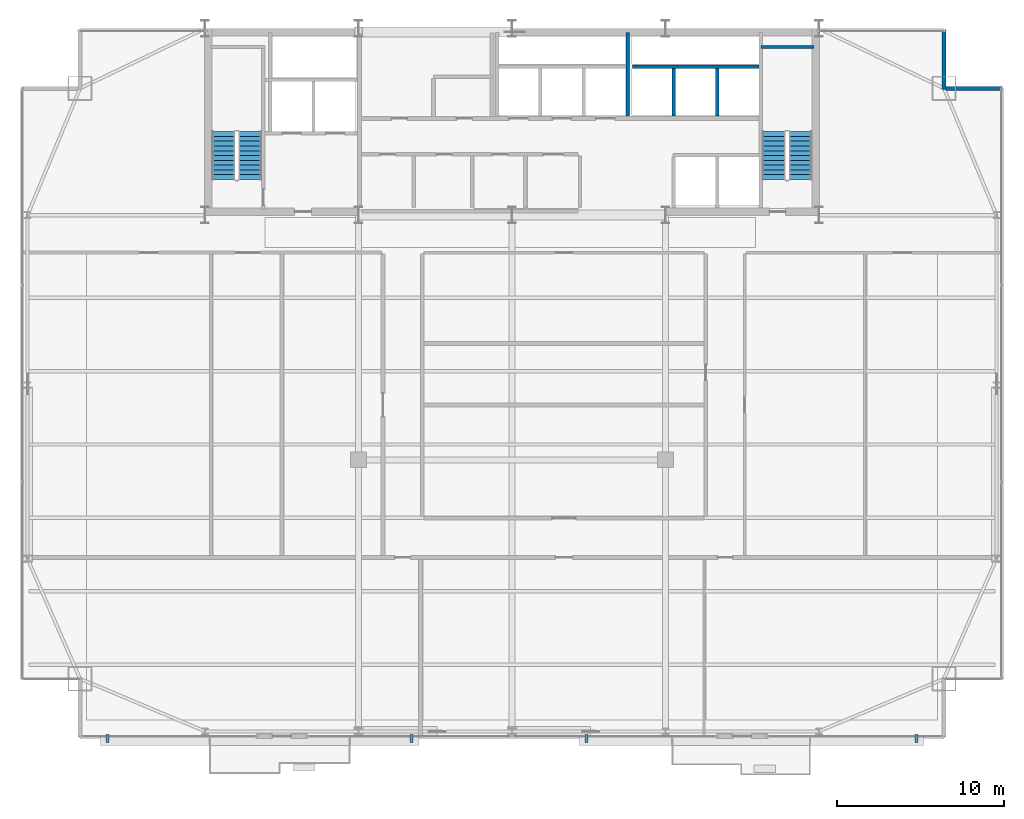
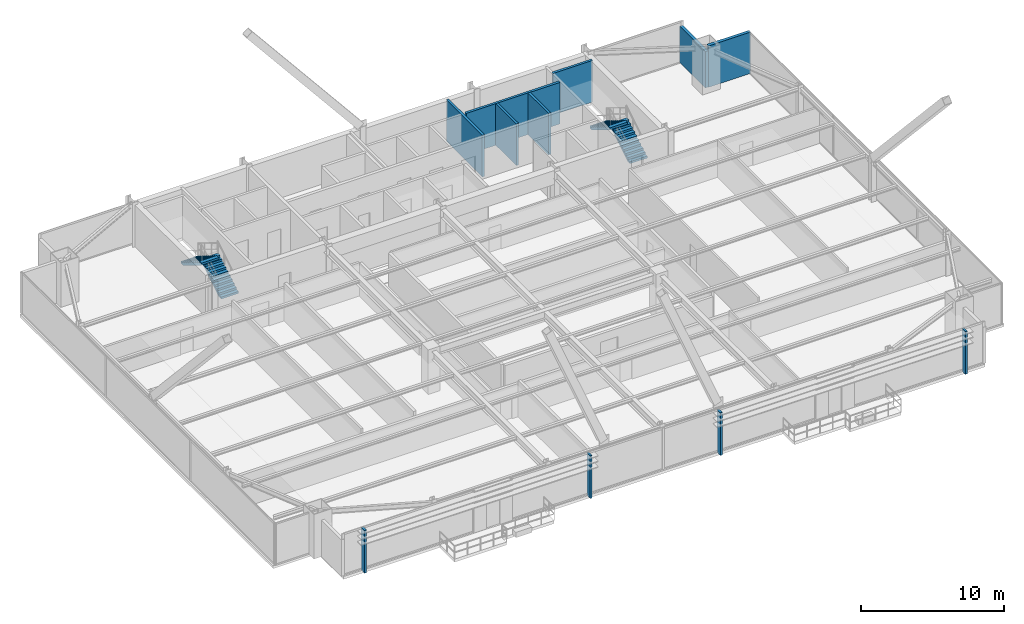
# One storey, part 35 of 37: 7 walls, 4 discrete accessories, 4 stair flights, 2 elements without a shape of their own.
"""IFC4 building model written with IfcOpenShell, lengths in metres."""

from ifc_helpers import new_model, si_unit, direction, frame, frame_2d, origin, origin_2d, place, context, subcontext, project, spatial, polyline, rectangle, outline, extrude, source, transform, mapped, material, layer, layer_set, type_object, type_shapes, element, aggregate, save


model = new_model("IFC4")

# Units and contexts
model_context = context("Model", 3, precision=1e-05, world=origin(), true_north=direction((0.0, 1.0)))
body_context = subcontext(model_context, "Body", "Model", "MODEL_VIEW")
ifc_project = project(units=[si_unit("LENGTHUNIT", "METRE"), si_unit("AREAUNIT", "SQUARE_METRE"), si_unit("VOLUMEUNIT", "CUBIC_METRE"), si_unit("PLANEANGLEUNIT", "RADIAN"), si_unit("MASSUNIT", "GRAM", prefix="KILO")], contexts=[model_context])

# Site, building, storey
site_placement = place(None, origin())
site = spatial("IfcSite", under=ifc_project, at=site_placement, CompositionType="ELEMENT")
building_placement = place(site_placement, origin())
building = spatial("IfcBuilding", under=site, at=building_placement, Name="Varnel Quay Broadcast Tower", CompositionType="ELEMENT")
storey_placement = place(building_placement, frame((0.0, 0.0, 125.800048828125)))
storey = spatial("IfcBuildingStorey", under=building, at=storey_placement, Name="L30", CompositionType="ELEMENT", Elevation=125.800048828125)

# Walls
ifc_material_1 = material(Name="Concrete CSA A23.3 C50/60", Category="concrete")
ifc_layer_1 = layer(ifc_material_1, 0.199951171875, Name="Concrete CSA A23.3 C50/60")
ifc_layer_set_1 = layer_set([ifc_layer_1], Name="Concrete CSA A23.3 C50/60")
wall_type_1 = type_object("IfcWallType", Name="Wall_CoreShaftShear200", PredefinedType="SHEAR", material=ifc_layer_set_1)
wall_1_placement = place(storey_placement, frame((48.919921875, 45.679931640625, 0.0), z_axis=(0.0, 0.0, 1.0), x_axis=(1.0, 0.0, 0.0)))
element("IfcWall", 1, at=wall_1_placement, inside=storey, type_object=wall_type_1, Name="L30 Stair 2 North Structural Wall", PredefinedType="SHEAR", context=body_context, shape_type="SweptSolid", body=[
    extrude(rectangle(XDim=3.18017578125, YDim=0.199951171875, at=frame_2d((1.590087890625, 0.0))), origin(), (0.0, 0.0, 1.0), 3.550048828125),
])
wall_2_placement = place(storey_placement, frame((40.949951171875, 41.530029296875, 0.0), z_axis=(0.0, 0.0, 1.0), x_axis=(0.0, 1.0, 0.0)))
element("IfcWall", 2, at=wall_2_placement, inside=storey, type_object=wall_type_1, Name="L30 Mid-Rise Lift Shaft Divider 4", PredefinedType="SHEAR", context=body_context, shape_type="SweptSolid", body=[
    extrude(rectangle(XDim=5.02001953125, YDim=0.199951171875, at=frame_2d((2.510009765625, 0.0))), origin(), (0.0, 0.0, 1.0), 3.550048828125),
])
wall_3_placement = place(storey_placement, frame((41.219970703125, 44.5, 0.0), z_axis=(0.0, 0.0, 1.0), x_axis=(1.0, 0.0, 0.0)))
element("IfcWall", 3, at=wall_3_placement, inside=storey, type_object=wall_type_1, Name="L30 High-Rise Lift Shaft Rear Wall", PredefinedType="SHEAR", context=body_context, shape_type="SweptSolid", body=[
    extrude(rectangle(XDim=7.580078125, YDim=0.199951171875, at=frame_2d((3.7900390625, 0.0))), origin(), (0.0, 0.0, 1.0), 3.550048828125),
])
for number, where, z_axis, x_axis, name in (
    (4, (43.699951171875, 41.530029296875, 0.0), (0.0, 0.0, 1.0), (0.0, 1.0, 0.0), "L30 High-Rise Lift Shaft Divider 2"),
    (5, (46.300048828125, 41.530029296875, 0.0), (0.0, 0.0, 1.0), (0.0, 1.0, 0.0), "L30 High-Rise Lift Shaft Divider 3"),
):
    element("IfcWall", number, at=place(storey_placement, frame(where, z_axis=z_axis, x_axis=x_axis)), inside=storey, type_object=wall_type_1, Name=name, PredefinedType="SHEAR", context=body_context, shape_type="SweptSolid", body=[
        extrude(rectangle(XDim=2.869873046875, YDim=0.199951171875, at=frame_2d((1.43505859375, 0.0))), origin(), (0.0, 0.0, 1.0), 3.550048828125),
    ])
ifc_material_2 = material(Name="Precast Architectural Concrete C40/50", Category="concrete")
ifc_layer_2 = layer(ifc_material_2, 0.25, Name="Precast Architectural Concrete C40/50")
ifc_layer_set_2 = layer_set([ifc_layer_2], Name="Precast Architectural Concrete C40/50")
wall_type_2 = type_object("IfcWallType", Name="Wall_ExtTerrace250", PredefinedType="SOLIDWALL", material=ifc_layer_set_2)
wall_4_placement = place(storey_placement, frame((60.030029296875, 43.199951171875, 0.0), z_axis=(0.0, 0.0, 1.0), x_axis=(1.0, 0.0, 0.0)))
element("IfcWall", 6, at=wall_4_placement, inside=storey, type_object=wall_type_2, Name="L30 Mega-Column Notch Cladding Wall NNE1", PredefinedType="SOLIDWALL", context=body_context, shape_type="SweptSolid", body=[
    extrude(rectangle(XDim=3.389892578125, YDim=0.25, at=frame_2d((1.69482421875, 0.0))), origin(), (0.0, 0.0, 1.0), 3.530029296875),
])
wall_5_placement = place(storey_placement, frame((59.89990234375, 43.1201171875, 0.0), z_axis=(0.0, 0.0, 1.0), x_axis=(0.0, 1.0, 0.0)))
element("IfcWall", 7, at=wall_5_placement, inside=storey, type_object=wall_type_2, Name="L30 Mega-Column Notch Cladding Wall NNE2", PredefinedType="SOLIDWALL", context=body_context, shape_type="SweptSolid", body=[
    extrude(rectangle(XDim=3.599853515625, YDim=0.25, at=frame_2d((1.7998046875, 0.0))), origin(), (0.0, 0.0, 1.0), 3.10791015625),
])

# Stair, stair flights
ifc_material_3 = material(Name="Precast Structural Concrete C40/50", Category="concrete")
stair_type_1 = type_object("IfcStairType", Name="Stair_ST-01", PredefinedType="HALF_TURN_STAIR", material=ifc_material_3)
stair_1_placement = place(storey_placement, origin())
stair_1 = element("IfcStair", 8, at=stair_1_placement, inside=storey, type_object=stair_type_1, Name="L30 West Core Exit Stair 1", PredefinedType="HALF_TURN_STAIR")
stair_flight_type_1 = type_object("IfcStairFlightType", Name="Flight_ST-01", PredefinedType="STRAIGHT", material=ifc_material_3)
stair_flight_1_placement = place(storey_placement, frame((18.300048828125, 37.75, 0.0), z_axis=(0.0, 0.0, 1.0), x_axis=(0.0, 1.0, 0.0)))
stair_flight_1 = element("IfcStairFlight", 9, at=stair_flight_1_placement, type_object=stair_flight_type_1, Name="ST-01 flight 1", NumberOfRisers=11, NumberOfTreads=10, PredefinedType="STRAIGHT", RiserHeight=0.172727273, TreadLength=0.285, context=body_context, shape_type="SweptSolid", body=[
    extrude(outline(polyline([(0.0, 0.0), (0.0, 0.172607421875), (0.284912109375, 0.172607421875), (0.284912109375, 0.345458984375), (0.570068359375, 0.345458984375), (0.570068359375, 0.51806640625), (0.85498046875, 0.51806640625), (0.85498046875, 0.69091796875), (1.139892578125, 0.69091796875), (1.139892578125, 0.863525390625), (1.425048828125, 0.863525390625), (1.425048828125, 1.036376953125), (1.7099609375, 1.036376953125), (1.7099609375, 1.208984375), (1.9951171875, 1.208984375), (1.9951171875, 1.3818359375), (2.280029296875, 1.3818359375), (2.280029296875, 1.554443359375), (2.56494140625, 1.554443359375), (2.56494140625, 1.727294921875), (2.85009765625, 1.727294921875), (2.85009765625, 1.89990234375), (2.85009765625, 1.552001953125), (0.289306640625, 0.0), (0.0, 0.0)])), frame((0.0, 0.699951171875, 0.0), z_axis=(0.0, -1.0, 0.0), x_axis=(1.0, 0.0, 0.0)), (0.0, 0.0, 1.0), 1.39990234375),
])
stair_flight_2_placement = place(storey_placement, frame((16.699951171875, 40.60009765625, 1.89990234375), z_axis=(0.0, 0.0, 1.0), x_axis=(0.0, -1.0, 0.0)))
stair_flight_2 = element("IfcStairFlight", 10, at=stair_flight_2_placement, type_object=stair_flight_type_1, Name="ST-01 flight 2", NumberOfRisers=11, NumberOfTreads=10, PredefinedType="STRAIGHT", RiserHeight=0.172727273, TreadLength=0.285, context=body_context, shape_type="SweptSolid", body=[
    extrude(outline(polyline([(0.0, 0.0), (0.0, 0.172607421875), (0.284912109375, 0.172607421875), (0.284912109375, 0.345458984375), (0.570068359375, 0.345458984375), (0.570068359375, 0.51806640625), (0.85498046875, 0.51806640625), (0.85498046875, 0.69091796875), (1.139892578125, 0.69091796875), (1.139892578125, 0.863525390625), (1.425048828125, 0.863525390625), (1.425048828125, 1.036376953125), (1.7099609375, 1.036376953125), (1.7099609375, 1.208984375), (1.9951171875, 1.208984375), (1.9951171875, 1.3818359375), (2.280029296875, 1.3818359375), (2.280029296875, 1.554443359375), (2.56494140625, 1.554443359375), (2.56494140625, 1.727294921875), (2.85009765625, 1.727294921875), (2.85009765625, 1.89990234375), (2.85009765625, 1.552001953125), (0.289306640625, 0.0), (0.0, 0.0)])), frame((0.0, 0.699951171875, 0.0), z_axis=(0.0, -1.0, 0.0), x_axis=(1.0, 0.0, 0.0)), (0.0, 0.0, 1.0), 1.39990234375),
])
aggregate(stair_1, [stair_flight_1, stair_flight_2])

stair_type_2 = type_object("IfcStairType", Name="Stair_ST-02", PredefinedType="HALF_TURN_STAIR", material=ifc_material_3)
stair_2_placement = place(storey_placement, origin())
stair_2 = element("IfcStair", 11, at=stair_2_placement, inside=storey, type_object=stair_type_2, Name="L30 East Core Exit Stair 2", PredefinedType="HALF_TURN_STAIR")
stair_flight_type_2 = type_object("IfcStairFlightType", Name="Flight_ST-02", PredefinedType="STRAIGHT", material=ifc_material_3)
stair_flight_3_placement = place(storey_placement, frame((51.300048828125, 37.75, 0.0), z_axis=(0.0, 0.0, 1.0), x_axis=(0.0, 1.0, 0.0)))
stair_flight_3 = element("IfcStairFlight", 12, at=stair_flight_3_placement, type_object=stair_flight_type_2, Name="ST-02 flight 1", NumberOfRisers=11, NumberOfTreads=10, PredefinedType="STRAIGHT", RiserHeight=0.172727273, TreadLength=0.285, context=body_context, shape_type="SweptSolid", body=[
    extrude(outline(polyline([(0.0, 0.0), (0.0, 0.172607421875), (0.284912109375, 0.172607421875), (0.284912109375, 0.345458984375), (0.570068359375, 0.345458984375), (0.570068359375, 0.51806640625), (0.85498046875, 0.51806640625), (0.85498046875, 0.69091796875), (1.139892578125, 0.69091796875), (1.139892578125, 0.863525390625), (1.425048828125, 0.863525390625), (1.425048828125, 1.036376953125), (1.7099609375, 1.036376953125), (1.7099609375, 1.208984375), (1.9951171875, 1.208984375), (1.9951171875, 1.3818359375), (2.280029296875, 1.3818359375), (2.280029296875, 1.554443359375), (2.56494140625, 1.554443359375), (2.56494140625, 1.727294921875), (2.85009765625, 1.727294921875), (2.85009765625, 1.89990234375), (2.85009765625, 1.552001953125), (0.289306640625, 0.0), (0.0, 0.0)])), frame((0.0, 0.699951171875, 0.0), z_axis=(0.0, -1.0, 0.0), x_axis=(1.0, 0.0, 0.0)), (0.0, 0.0, 1.0), 1.39990234375),
])
stair_flight_4_placement = place(storey_placement, frame((49.699951171875, 40.60009765625, 1.89990234375), z_axis=(0.0, 0.0, 1.0), x_axis=(0.0, -1.0, 0.0)))
stair_flight_4 = element("IfcStairFlight", 13, at=stair_flight_4_placement, type_object=stair_flight_type_2, Name="ST-02 flight 2", NumberOfRisers=11, NumberOfTreads=10, PredefinedType="STRAIGHT", RiserHeight=0.172727273, TreadLength=0.285, context=body_context, shape_type="SweptSolid", body=[
    extrude(outline(polyline([(0.0, 0.0), (0.0, 0.172607421875), (0.284912109375, 0.172607421875), (0.284912109375, 0.345458984375), (0.570068359375, 0.345458984375), (0.570068359375, 0.51806640625), (0.85498046875, 0.51806640625), (0.85498046875, 0.69091796875), (1.139892578125, 0.69091796875), (1.139892578125, 0.863525390625), (1.425048828125, 0.863525390625), (1.425048828125, 1.036376953125), (1.7099609375, 1.036376953125), (1.7099609375, 1.208984375), (1.9951171875, 1.208984375), (1.9951171875, 1.3818359375), (2.280029296875, 1.3818359375), (2.280029296875, 1.554443359375), (2.56494140625, 1.554443359375), (2.56494140625, 1.727294921875), (2.85009765625, 1.727294921875), (2.85009765625, 1.89990234375), (2.85009765625, 1.552001953125), (0.289306640625, 0.0), (0.0, 0.0)])), frame((0.0, 0.699951171875, 0.0), z_axis=(0.0, -1.0, 0.0), x_axis=(1.0, 0.0, 0.0)), (0.0, 0.0, 1.0), 1.39990234375),
])
aggregate(stair_2, [stair_flight_3, stair_flight_4])

# Discrete accessories
ifc_material_4 = material(Name="Anodised Bronze Aluminium 6063-T6", Category="aluminium")
ifc_layer_3 = layer(ifc_material_4, 0.47998046875, Name="Anodised Bronze Aluminium 6063-T6")
ifc_layer_set_3 = layer_set([ifc_layer_3], Name="Anodised Bronze Aluminium 6063-T6")
discrete_accessory_type = type_object("IfcDiscreteAccessoryType", Name="Acc_FacadeBracket", PredefinedType="BRACKET", material=ifc_layer_set_3)
shared_shape = source(origin(), body_context, "Body", "SweptSolid", [
    extrude(rectangle(XDim=0.159912109375, YDim=0.47998046875, at=origin_2d()), origin(), (0.0, 0.0, 1.0), 3.64990234375),
])
type_shapes(discrete_accessory_type, [shared_shape])
for number, where, z_axis, x_axis, name in (
    (14, (9.75, 4.219970703125, -0.14990234375), (0.0, 0.0, 1.0), (1.0, 0.0, 0.0), "L30 Lobe 1 Louvre Support Bracket 1"),
    (15, (27.970947265625, 4.219970703125, -0.14990234375), (0.0, 0.0, 1.0), (1.0, 0.0, 0.0), "L30 Lobe 1 Louvre Support Bracket 2"),
    (16, (38.470947265625, 4.219970703125, -0.14990234375), (0.0, 0.0, 1.0), (1.0, 0.0, 0.0), "L30 Lobe 2 Louvre Support Bracket 1"),
    (17, (58.25, 4.219970703125, -0.14990234375), (0.0, 0.0, 1.0), (1.0, 0.0, 0.0), "L30 Lobe 2 Louvre Support Bracket 2"),
):
    element("IfcDiscreteAccessory", number, at=place(storey_placement, frame(where, z_axis=z_axis, x_axis=x_axis)), inside=storey, type_object=discrete_accessory_type, Name=name, PredefinedType="BRACKET", context=body_context, shape_type="MappedRepresentation", body=[
        mapped(shared_shape, transform((0.0, 0.0, 0.0), x_axis=(1.0, 0.0, 0.0), y_axis=(0.0, 1.0, 0.0), z_axis=(0.0, 0.0, 1.0), scale=1.0)),
    ])

save(model, "model.ifc")
